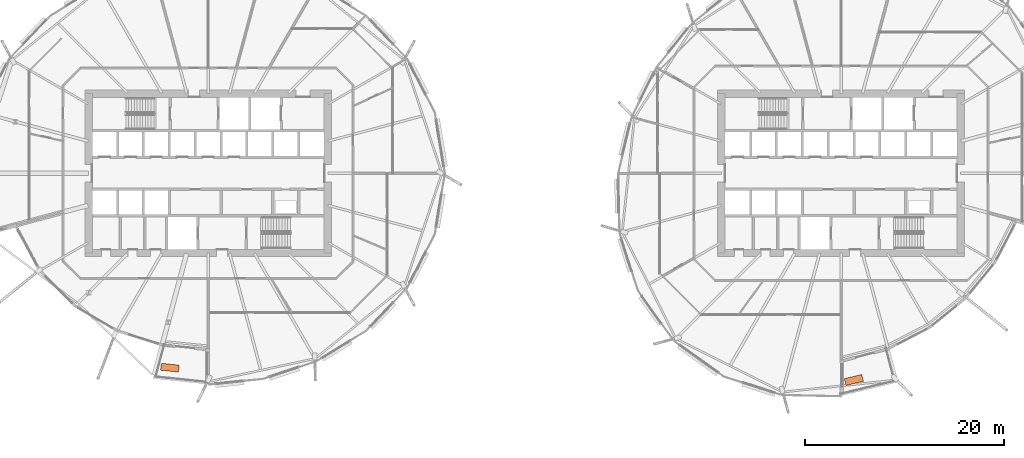
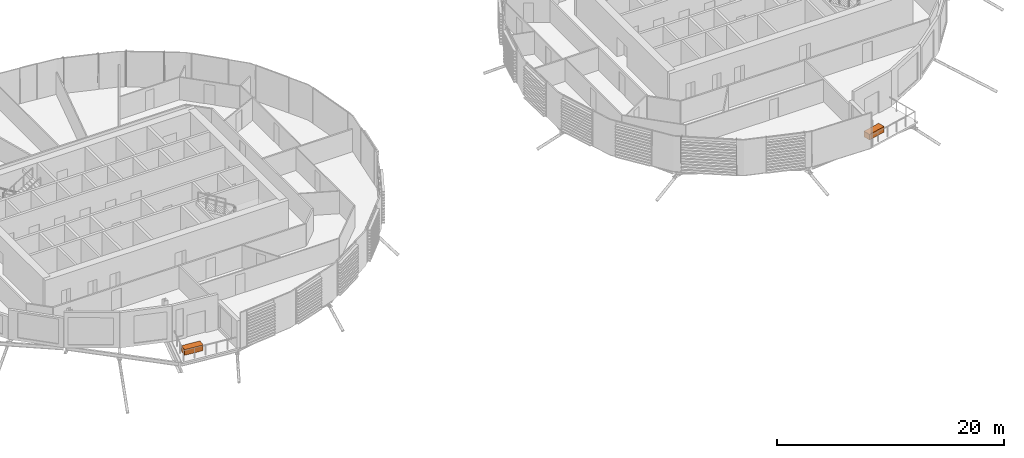
# One storey, part 43 of 43: 2 proxies.
"""IFC4 building model written with IfcOpenShell, lengths in metres."""

from ifc_helpers import new_model, si_unit, direction, frame, origin, origin_2d, place, context, subcontext, project, spatial, rectangle, extrude, material, type_object, element, save


model = new_model("IFC4")

# Units and contexts
model_context = context("Model", 3, precision=1e-05, world=origin(), true_north=direction((0.0, 1.0)))
body_context = subcontext(model_context, "Body", "Model", "MODEL_VIEW")
ifc_project = project(units=[si_unit("LENGTHUNIT", "METRE"), si_unit("AREAUNIT", "SQUARE_METRE"), si_unit("VOLUMEUNIT", "CUBIC_METRE"), si_unit("PLANEANGLEUNIT", "RADIAN"), si_unit("MASSUNIT", "GRAM", prefix="KILO")], contexts=[model_context])

# Site, building, storey
site_placement = place(None, origin())
site = spatial("IfcSite", under=ifc_project, at=site_placement, CompositionType="ELEMENT")
building_placement = place(site_placement, origin())
building = spatial("IfcBuilding", under=site, at=building_placement, Name="Rimbun Link Towers", CompositionType="ELEMENT")
storey_placement = place(building_placement, frame((0.0, 0.0, 81.60009765625)))
storey = spatial("IfcBuildingStorey", under=building, at=storey_placement, Name="L19", CompositionType="ELEMENT", Elevation=81.60009765625)

# Proxies
ifc_material = material(Name="Concrete C30/37", Category="concrete")
building_element_proxy_type = type_object("IfcBuildingElementProxyType", Name="PLANTER precast box 1800X700X600", PredefinedType="USERDEFINED", material=ifc_material)
for number, where, z_axis, x_axis, name in (
    (1, (-35.590576171875, -19.504638671875, -0.000244140625), (0.0, 0.0, 1.0), (0.994500017876, -0.104736404583, 0.0), "PLANTER"),
    (2, (33.03369140625, -20.736083984375, -0.000244140625), (0.0, 0.0, 1.0), (0.972576339867, 0.232583884072, 0.0), "PLANTER"),
):
    element("IfcBuildingElementProxy", number, at=place(storey_placement, frame(where, z_axis=z_axis, x_axis=x_axis)), inside=storey, type_object=building_element_proxy_type, Name=name, ObjectType="PLANTER", PredefinedType="USERDEFINED", context=body_context, shape_type="SweptSolid", body=[
        extrude(rectangle(XDim=1.800048828125, YDim=0.699951171875, at=origin_2d()), origin(), (0.0, 0.0, 1.0), 0.60009765625),
    ])

save(model, "model.ifc")
